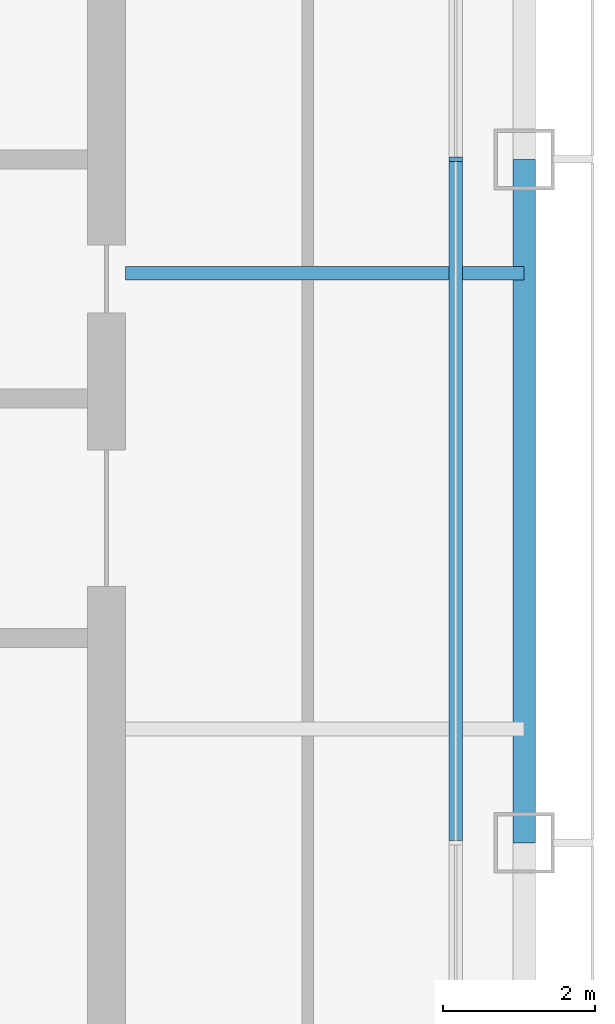
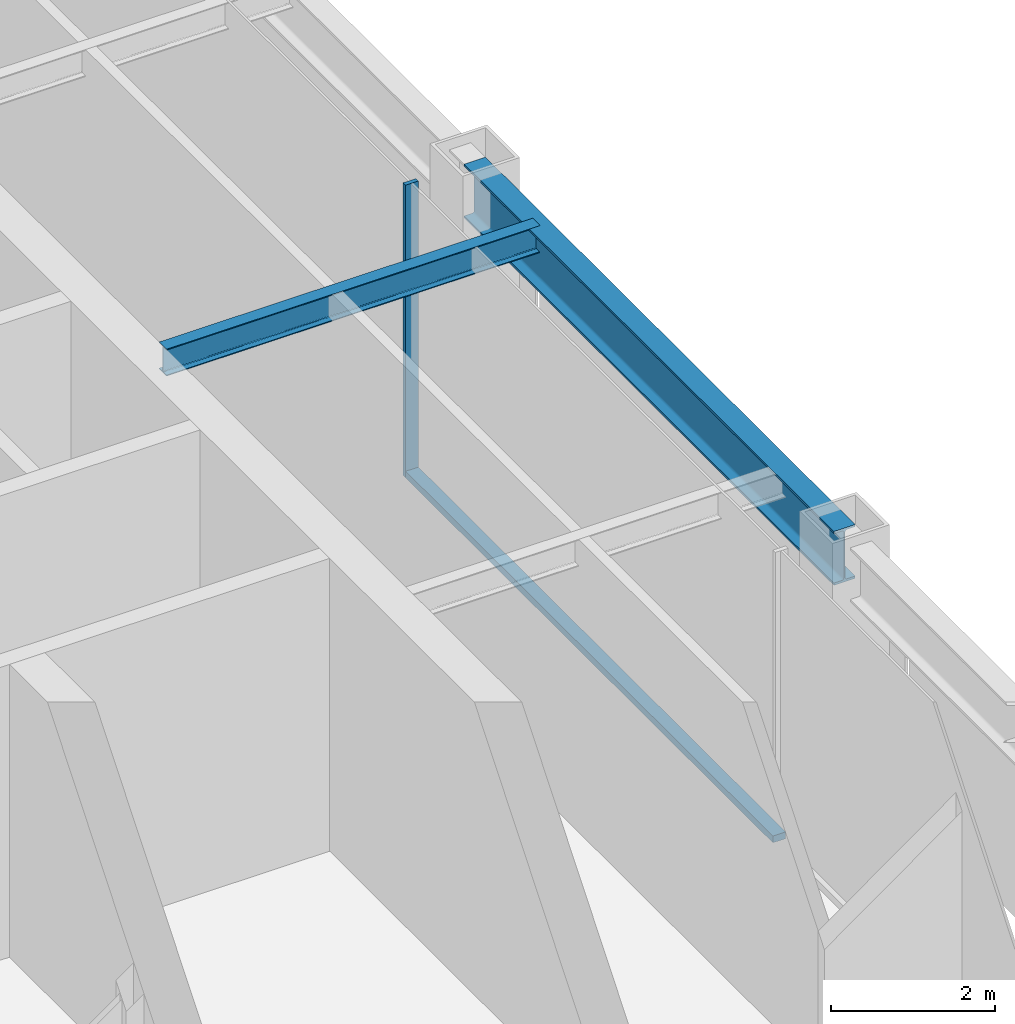
# One storey, part 5 of 19: 2 beams, 2 members, 1 element without a shape of its own.
"""IFC4 building model written with IfcOpenShell, lengths in metres."""

from ifc_helpers import new_model, si_unit, direction, frame, origin, origin_2d, place, context, subcontext, project, spatial, rectangle, i_section, extrude, material, layer, layer_set, material_profile, profile_set, type_object, element, aggregate, save


model = new_model("IFC4")

# Units and contexts
model_context = context("Model", 3, precision=1e-05, world=origin(), true_north=direction((0.0, 1.0)))
body_context = subcontext(model_context, "Body", "Model", "MODEL_VIEW")
ifc_project = project(units=[si_unit("LENGTHUNIT", "METRE"), si_unit("AREAUNIT", "SQUARE_METRE"), si_unit("VOLUMEUNIT", "CUBIC_METRE"), si_unit("PLANEANGLEUNIT", "RADIAN"), si_unit("MASSUNIT", "GRAM", prefix="KILO")], contexts=[model_context])

# Site, building, storey
site_placement = place(None, origin())
site = spatial("IfcSite", under=ifc_project, at=site_placement, CompositionType="ELEMENT")
building_placement = place(site_placement, origin())
building = spatial("IfcBuilding", under=site, at=building_placement, Name="Siwar Civic Tower", CompositionType="ELEMENT")
storey_placement = place(building_placement, frame((0.0, 0.0, 246.699951171875)))
storey = spatial("IfcBuildingStorey", under=building, at=storey_placement, Name="L53", CompositionType="ELEMENT", Elevation=246.699951171875)

# Curtain wall, members
ifc_material_1 = material(Name="Aluminium and glass", Category="aluminium")
ifc_layer = layer(ifc_material_1, 0.179931640625)
ifc_layer_set = layer_set([ifc_layer], Name="Aluminium and glass")
curtain_wall_type = type_object("IfcCurtainWallType", Name="ENV-CW-C", PredefinedType="NOTDEFINED", material=ifc_layer_set)
curtain_wall_placement = place(storey_placement, origin())
curtain_wall = element("IfcCurtainWall", 1, at=curtain_wall_placement, inside=storey, type_object=curtain_wall_type, Name="Curtain wall C E", PredefinedType="NOTDEFINED")
ifc_material_2 = material(Name="Aluminium 6063-T6", Category="aluminium")
ifc_material_profile_1 = material_profile(ifc_material_2, rectangle(XDim=0.179931640625, YDim=0.06005859375, at=origin_2d()), Name="AL 180x60")
ifc_profile_set_1 = profile_set([ifc_material_profile_1], Name="Aluminium 6063-T6")
member_type_1 = type_object("IfcMemberType", Name="ENV-MULLION-C", PredefinedType="MULLION", material=ifc_profile_set_1)
member_1_placement = place(storey_placement, frame((26.10009765625, 0.0, 0.0), z_axis=(0.0, 0.0, 1.0), x_axis=(-1.0, 0.0, 0.0)))
member_1 = element("IfcMember", 2, at=member_1_placement, type_object=member_type_1, Name="Mullion C E 3", PredefinedType="MULLION", context=body_context, shape_type="SweptSolid", body=[
    extrude(rectangle(XDim=0.179931640625, YDim=0.06005859375, at=origin_2d()), origin(), (0.0, 0.0, 1.0), 4.35009765625),
])
ifc_material_3 = material(Name="Aluminium 6063-T6", Category="aluminium")
ifc_material_profile_2 = material_profile(ifc_material_3, rectangle(XDim=0.179931640625, YDim=0.10009765625, at=origin_2d()), Name="AL 180x100")
ifc_profile_set_2 = profile_set([ifc_material_profile_2], Name="Aluminium 6063-T6")
member_type_2 = type_object("IfcMemberType", Name="ENV-TRANSOM-C", PredefinedType="USERDEFINED", material=ifc_profile_set_2)
member_2_placement = place(storey_placement, frame((26.10009765625, -8.969970703125, 0.050048828125), z_axis=(0.0, 1.0, 0.0), x_axis=(-1.0, 0.0, 0.0)))
member_2 = element("IfcMember", 3, at=member_2_placement, type_object=member_type_2, Name="Transom C E 2", ObjectType="TRANSOM", PredefinedType="USERDEFINED", context=body_context, shape_type="SweptSolid", body=[
    extrude(rectangle(XDim=0.179931640625, YDim=0.10009765625, at=origin_2d()), origin(), (0.0, 0.0, 1.0), 8.93994140625),
])
aggregate(curtain_wall, [member_1, member_2])

# Beams
ifc_material_4 = material(Name="Steel S355", Category="steel")
ifc_material_profile_3 = material_profile(ifc_material_4, i_section(OverallWidth=0.179931640625, OverallDepth=0.39990234375, WebThickness=0.008544921875, FlangeThickness=0.013427734375, FilletRadius=0.02099609375, at=origin_2d()), Name="IPE400")
ifc_profile_set_3 = profile_set([ifc_material_profile_3], Name="Steel S355")
beam_type_1 = type_object("IfcBeamType", Name="STR-FB-IPE400", PredefinedType="JOIST", material=ifc_profile_set_3)
beam_1_placement = place(storey_placement, frame((21.75, -1.5, 4.150146484375), z_axis=(1.0, 0.0, 0.0), x_axis=(0.0, 1.0, 0.0)))
element("IfcBeam", 4, at=beam_1_placement, inside=storey, type_object=beam_type_1, Name="L53/bm/F024", PredefinedType="JOIST", context=body_context, shape_type="SweptSolid", body=[
    extrude(i_section(OverallWidth=0.179931640625, OverallDepth=0.39990234375, WebThickness=0.008544921875, FlangeThickness=0.013427734375, FilletRadius=0.02099609375, at=origin_2d()), origin(), (0.0, 0.0, 1.0), 5.25),
])
ifc_material_5 = material(Name="Steel S355", Category="steel")
ifc_material_profile_4 = material_profile(ifc_material_5, i_section(OverallWidth=0.300048828125, OverallDepth=0.800048828125, WebThickness=0.017578125, FlangeThickness=0.032958984375, FilletRadius=0.030029296875, at=origin_2d()), Name="HEB800")
ifc_profile_set_4 = profile_set([ifc_material_profile_4], Name="Steel S355")
beam_type_2 = type_object("IfcBeamType", Name="STR-SB-HEB800", PredefinedType="BEAM", material=ifc_profile_set_4)
beam_2_placement = place(storey_placement, frame((27.0, -9.0, 3.949951171875), z_axis=(0.0, 1.0, 0.0), x_axis=(-1.0, 0.0, 0.0)))
element("IfcBeam", 5, at=beam_2_placement, inside=storey, type_object=beam_type_2, Name="L53/bm/SE-1", PredefinedType="BEAM", context=body_context, shape_type="SweptSolid", body=[
    extrude(i_section(OverallWidth=0.300048828125, OverallDepth=0.800048828125, WebThickness=0.017578125, FlangeThickness=0.032958984375, FilletRadius=0.030029296875, at=origin_2d()), origin(), (0.0, 0.0, 1.0), 9.0),
])

save(model, "model.ifc")
